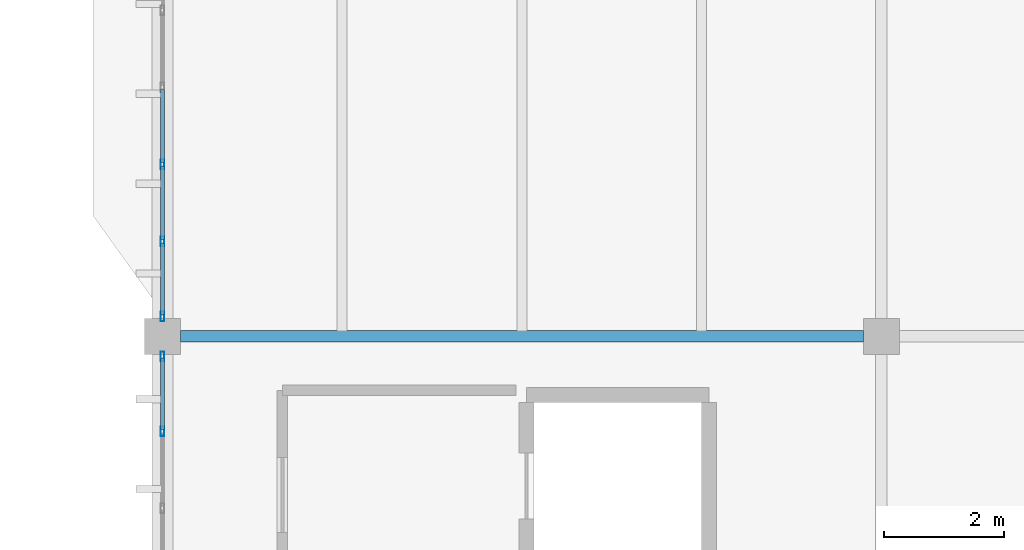
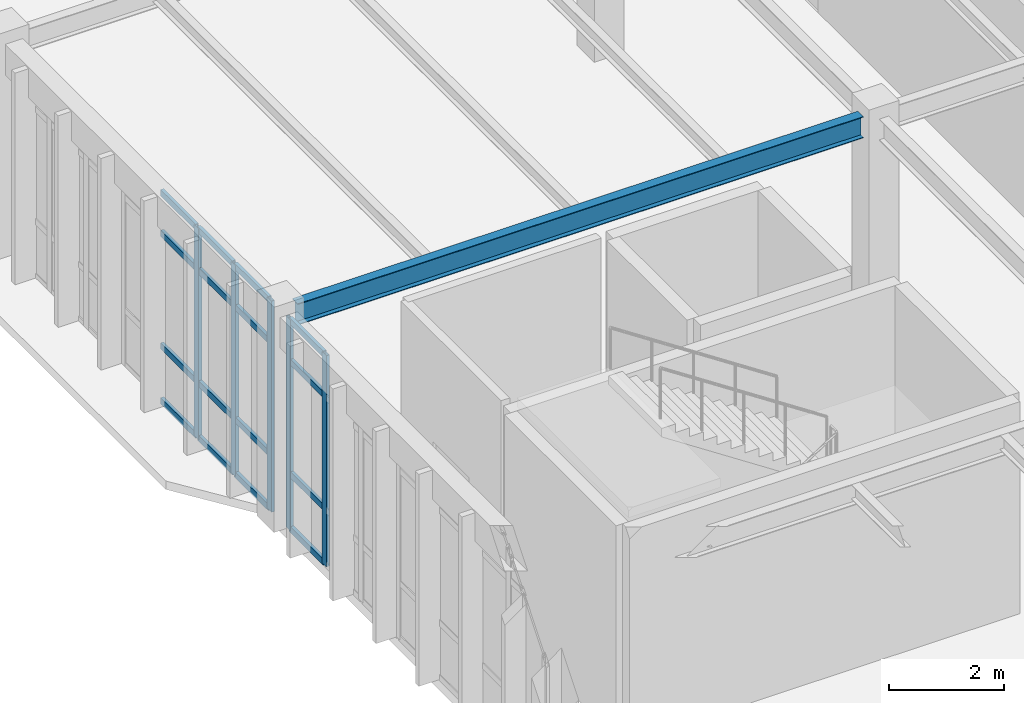
# One storey, part 146 of 236: 21 members, 1 beam, 2 elements without a shape of their own.
"""IFC4 building model written with IfcOpenShell, lengths in metres."""

from ifc_helpers import new_model, si_unit, direction, frame, origin, origin_2d, place, context, subcontext, project, spatial, hollow_rectangle, i_section, extrude, material, layer, layer_set, material_profile, profile_set, type_object, element, aggregate, save


model = new_model("IFC4")

# Units and contexts
model_context = context("Model", 3, precision=1e-05, world=origin(), true_north=direction((0.0, 1.0)))
body_context = subcontext(model_context, "Body", "Model", "MODEL_VIEW")
ifc_project = project(units=[si_unit("LENGTHUNIT", "METRE"), si_unit("AREAUNIT", "SQUARE_METRE"), si_unit("VOLUMEUNIT", "CUBIC_METRE"), si_unit("PLANEANGLEUNIT", "RADIAN"), si_unit("MASSUNIT", "GRAM", prefix="KILO")], contexts=[model_context])

# Site, building, storey
site_placement = place(None, origin())
site = spatial("IfcSite", under=ifc_project, at=site_placement, CompositionType="ELEMENT")
building_placement = place(site_placement, origin())
building = spatial("IfcBuilding", under=site, at=building_placement, Name="Pandanus Reach Market Hall", CompositionType="ELEMENT")
storey_placement = place(building_placement, frame((0.0, 0.0, 5.39990234375)))
storey = spatial("IfcBuildingStorey", under=building, at=storey_placement, Name="L01", CompositionType="ELEMENT", Elevation=5.39990234375)

# Beam
ifc_material_1 = material(Name="Steel Grade 350 (350 MPa)", Category="steel")
ifc_material_profile_1 = material_profile(ifc_material_1, i_section(OverallWidth=0.18994140625, OverallDepth=0.45703125, WebThickness=0.009033203125, FlangeThickness=0.014404296875, at=origin_2d()), Name="460UB74.6", Category="LoadBearing")
ifc_profile_set_1 = profile_set([ifc_material_profile_1], Name="Steel Grade 350 (350 MPa)")
beam_type = type_object("IfcBeamType", Name="BM-UB460-I", PredefinedType="BEAM", material=ifc_profile_set_1)
beam_placement = place(storey_placement, frame((144.298095703125, 57.60009765625, 4.311279296875), z_axis=(1.0, 0.0, 0.0), x_axis=(0.0, 1.0, 0.0)))
element("IfcBeam", 1, at=beam_placement, inside=storey, type_object=beam_type, Name="Framing beam BM-UB460-I L01.321", PredefinedType="BEAM", context=body_context, shape_type="SweptSolid", body=[
    extrude(i_section(OverallWidth=0.18994140625, OverallDepth=0.45703125, WebThickness=0.009033203125, FlangeThickness=0.014404296875, at=origin_2d()), origin(), (0.0, 0.0, 1.0), 11.40380859375),
])

# Curtain wall, members
ifc_material_2 = material(Name="Bronze anodised aluminium and low-E glass", Category="aluminium")
ifc_layer = layer(ifc_material_2, 0.159912109375, Name="CW-29")
ifc_layer_set = layer_set([ifc_layer], Name="Bronze anodised aluminium and low-E glass")
curtain_wall_type = type_object("IfcCurtainWallType", Name="CW-29", PredefinedType="NOTDEFINED", material=ifc_layer_set)
curtain_wall_1_placement = place(storey_placement, origin())
curtain_wall_1 = element("IfcCurtainWall", 2, at=curtain_wall_1_placement, inside=storey, type_object=curtain_wall_type, Name="Glazed curtain wall CW-29 CW-0095", PredefinedType="NOTDEFINED")
ifc_material_3 = material(Name="Bronze anodised aluminium", Category="aluminium")
ifc_material_profile_2 = material_profile(ifc_material_3, hollow_rectangle(XDim=0.06494140625, YDim=0.159912109375, WallThickness=0.00390625, at=origin_2d()), Name="ALU65x160", Category="LoadBearing")
ifc_profile_set_2 = profile_set([ifc_material_profile_2], Name="Bronze anodised aluminium")
member_type_1 = type_object("IfcMemberType", Name="CW-M1", PredefinedType="MULLION", material=ifc_profile_set_2)
member_1_placement = place(storey_placement, frame((144.0, 56.014404296875, 0.0), z_axis=(0.0, 0.0, 1.0), x_axis=(-1.0, 0.0, 0.0)))
member_1 = element("IfcMember", 3, at=member_1_placement, type_object=member_type_1, Name="CW-29 mullion 7", PredefinedType="MULLION", context=body_context, shape_type="SweptSolid", body=[
    extrude(hollow_rectangle(XDim=0.06494140625, YDim=0.159912109375, WallThickness=0.00390625, at=origin_2d()), origin(), (0.0, 0.0, 1.0), 4.5),
])
member_2_placement = place(storey_placement, frame((144.0, 57.267578125, 0.0), z_axis=(0.0, 0.0, 1.0), x_axis=(-1.0, 0.0, 0.0)))
member_2 = element("IfcMember", 4, at=member_2_placement, type_object=member_type_1, Name="CW-29 mullion 8", PredefinedType="MULLION", context=body_context, shape_type="SweptSolid", body=[
    extrude(hollow_rectangle(XDim=0.06494140625, YDim=0.159912109375, WallThickness=0.00390625, at=origin_2d()), origin(), (0.0, 0.0, 1.0), 4.5),
])

curtain_wall_2_placement = place(storey_placement, origin())
curtain_wall_2 = element("IfcCurtainWall", 5, at=curtain_wall_2_placement, inside=storey, type_object=curtain_wall_type, Name="Glazed curtain wall CW-29 CW-0096", PredefinedType="NOTDEFINED")
member_3_placement = place(storey_placement, frame((144.0, 57.9326171875, 0.0), z_axis=(0.0, 0.0, 1.0), x_axis=(-1.0, 0.0, 0.0)))
member_3 = element("IfcMember", 6, at=member_3_placement, type_object=member_type_1, Name="CW-29 mullion 1", PredefinedType="MULLION", context=body_context, shape_type="SweptSolid", body=[
    extrude(hollow_rectangle(XDim=0.06494140625, YDim=0.159912109375, WallThickness=0.00390625, at=origin_2d()), origin(), (0.0, 0.0, 1.0), 4.5),
])
member_4_placement = place(storey_placement, frame((144.0, 59.185791015625, 0.0), z_axis=(0.0, 0.0, 1.0), x_axis=(-1.0, 0.0, 0.0)))
member_4 = element("IfcMember", 7, at=member_4_placement, type_object=member_type_1, Name="CW-29 mullion 2", PredefinedType="MULLION", context=body_context, shape_type="SweptSolid", body=[
    extrude(hollow_rectangle(XDim=0.06494140625, YDim=0.159912109375, WallThickness=0.00390625, at=origin_2d()), origin(), (0.0, 0.0, 1.0), 4.5),
])
member_5_placement = place(storey_placement, frame((144.0, 60.471435546875, 0.0), z_axis=(0.0, 0.0, 1.0), x_axis=(-1.0, 0.0, 0.0)))
member_5 = element("IfcMember", 8, at=member_5_placement, type_object=member_type_1, Name="CW-29 mullion 3", PredefinedType="MULLION", context=body_context, shape_type="SweptSolid", body=[
    extrude(hollow_rectangle(XDim=0.06494140625, YDim=0.159912109375, WallThickness=0.00390625, at=origin_2d()), origin(), (0.0, 0.0, 1.0), 4.5),
])

# Member
ifc_material_profile_3 = material_profile(ifc_material_3, hollow_rectangle(XDim=0.06494140625, YDim=0.1298828125, WallThickness=0.00390625, at=origin_2d()), Name="ALU65x130", Category="LoadBearing")
ifc_profile_set_3 = profile_set([ifc_material_profile_3], Name="Bronze anodised aluminium")
member_type_2 = type_object("IfcMemberType", Name="CW-T1", PredefinedType="USERDEFINED", material=ifc_profile_set_3)
member_6_placement = place(storey_placement, frame((144.0, 56.046875, 0.03271484375), z_axis=(0.0, 1.0, 0.0), x_axis=(-1.0, 0.0, 0.0)))
member_6 = element("IfcMember", 9, at=member_6_placement, type_object=member_type_2, Name="CW-29 transom 7.1", ObjectType="TRANSOM", PredefinedType="USERDEFINED", context=body_context, shape_type="SweptSolid", body=[
    extrude(hollow_rectangle(XDim=0.06494140625, YDim=0.1298828125, WallThickness=0.00390625, at=origin_2d()), origin(), (0.0, 0.0, 1.0), 1.188232421875),
])

member_7_placement = place(storey_placement, frame((144.0, 56.046875, 1.2001953125), z_axis=(0.0, 1.0, 0.0), x_axis=(-1.0, 0.0, 0.0)))
member_7 = element("IfcMember", 10, at=member_7_placement, type_object=member_type_2, Name="CW-29 transom 7.2", ObjectType="TRANSOM", PredefinedType="USERDEFINED", context=body_context, shape_type="SweptSolid", body=[
    extrude(hollow_rectangle(XDim=0.06494140625, YDim=0.1298828125, WallThickness=0.00390625, at=origin_2d()), origin(), (0.0, 0.0, 1.0), 1.188232421875),
])

member_8_placement = place(storey_placement, frame((144.0, 56.046875, 3.60009765625), z_axis=(0.0, 1.0, 0.0), x_axis=(-1.0, 0.0, 0.0)))
member_8 = element("IfcMember", 11, at=member_8_placement, type_object=member_type_2, Name="CW-29 transom 7.3", ObjectType="TRANSOM", PredefinedType="USERDEFINED", context=body_context, shape_type="SweptSolid", body=[
    extrude(hollow_rectangle(XDim=0.06494140625, YDim=0.1298828125, WallThickness=0.00390625, at=origin_2d()), origin(), (0.0, 0.0, 1.0), 1.188232421875),
])

member_9_placement = place(storey_placement, frame((144.0, 56.046875, 4.467529296875), z_axis=(0.0, 1.0, 0.0), x_axis=(-1.0, 0.0, 0.0)))
member_9 = element("IfcMember", 12, at=member_9_placement, type_object=member_type_2, Name="CW-29 transom 7.4", ObjectType="TRANSOM", PredefinedType="USERDEFINED", context=body_context, shape_type="SweptSolid", body=[
    extrude(hollow_rectangle(XDim=0.06494140625, YDim=0.1298828125, WallThickness=0.00390625, at=origin_2d()), origin(), (0.0, 0.0, 1.0), 1.188232421875),
])

aggregate(curtain_wall_1, [member_1, member_2, member_6, member_7, member_8, member_9])

member_10_placement = place(storey_placement, frame((144.0, 57.965087890625, 0.03271484375), z_axis=(0.0, 1.0, 0.0), x_axis=(-1.0, 0.0, 0.0)))
member_10 = element("IfcMember", 13, at=member_10_placement, type_object=member_type_2, Name="CW-29 transom 1.1", ObjectType="TRANSOM", PredefinedType="USERDEFINED", context=body_context, shape_type="SweptSolid", body=[
    extrude(hollow_rectangle(XDim=0.06494140625, YDim=0.1298828125, WallThickness=0.00390625, at=origin_2d()), origin(), (0.0, 0.0, 1.0), 1.188232421875),
])

member_11_placement = place(storey_placement, frame((144.0, 57.965087890625, 1.2001953125), z_axis=(0.0, 1.0, 0.0), x_axis=(-1.0, 0.0, 0.0)))
member_11 = element("IfcMember", 14, at=member_11_placement, type_object=member_type_2, Name="CW-29 transom 1.2", ObjectType="TRANSOM", PredefinedType="USERDEFINED", context=body_context, shape_type="SweptSolid", body=[
    extrude(hollow_rectangle(XDim=0.06494140625, YDim=0.1298828125, WallThickness=0.00390625, at=origin_2d()), origin(), (0.0, 0.0, 1.0), 1.188232421875),
])

member_12_placement = place(storey_placement, frame((144.0, 57.965087890625, 3.60009765625), z_axis=(0.0, 1.0, 0.0), x_axis=(-1.0, 0.0, 0.0)))
member_12 = element("IfcMember", 15, at=member_12_placement, type_object=member_type_2, Name="CW-29 transom 1.3", ObjectType="TRANSOM", PredefinedType="USERDEFINED", context=body_context, shape_type="SweptSolid", body=[
    extrude(hollow_rectangle(XDim=0.06494140625, YDim=0.1298828125, WallThickness=0.00390625, at=origin_2d()), origin(), (0.0, 0.0, 1.0), 1.188232421875),
])

member_13_placement = place(storey_placement, frame((144.0, 57.965087890625, 4.467529296875), z_axis=(0.0, 1.0, 0.0), x_axis=(-1.0, 0.0, 0.0)))
member_13 = element("IfcMember", 16, at=member_13_placement, type_object=member_type_2, Name="CW-29 transom 1.4", ObjectType="TRANSOM", PredefinedType="USERDEFINED", context=body_context, shape_type="SweptSolid", body=[
    extrude(hollow_rectangle(XDim=0.06494140625, YDim=0.1298828125, WallThickness=0.00390625, at=origin_2d()), origin(), (0.0, 0.0, 1.0), 1.188232421875),
])

member_14_placement = place(storey_placement, frame((144.0, 59.21826171875, 0.03271484375), z_axis=(0.0, 1.0, 0.0), x_axis=(-1.0, 0.0, 0.0)))
member_14 = element("IfcMember", 17, at=member_14_placement, type_object=member_type_2, Name="CW-29 transom 2.1", ObjectType="TRANSOM", PredefinedType="USERDEFINED", context=body_context, shape_type="SweptSolid", body=[
    extrude(hollow_rectangle(XDim=0.06494140625, YDim=0.1298828125, WallThickness=0.00390625, at=origin_2d()), origin(), (0.0, 0.0, 1.0), 1.220703125),
])

member_15_placement = place(storey_placement, frame((144.0, 59.21826171875, 1.2001953125), z_axis=(0.0, 1.0, 0.0), x_axis=(-1.0, 0.0, 0.0)))
member_15 = element("IfcMember", 18, at=member_15_placement, type_object=member_type_2, Name="CW-29 transom 2.2", ObjectType="TRANSOM", PredefinedType="USERDEFINED", context=body_context, shape_type="SweptSolid", body=[
    extrude(hollow_rectangle(XDim=0.06494140625, YDim=0.1298828125, WallThickness=0.00390625, at=origin_2d()), origin(), (0.0, 0.0, 1.0), 1.220703125),
])

member_16_placement = place(storey_placement, frame((144.0, 59.21826171875, 3.60009765625), z_axis=(0.0, 1.0, 0.0), x_axis=(-1.0, 0.0, 0.0)))
member_16 = element("IfcMember", 19, at=member_16_placement, type_object=member_type_2, Name="CW-29 transom 2.3", ObjectType="TRANSOM", PredefinedType="USERDEFINED", context=body_context, shape_type="SweptSolid", body=[
    extrude(hollow_rectangle(XDim=0.06494140625, YDim=0.1298828125, WallThickness=0.00390625, at=origin_2d()), origin(), (0.0, 0.0, 1.0), 1.220703125),
])

member_17_placement = place(storey_placement, frame((144.0, 59.21826171875, 4.467529296875), z_axis=(0.0, 1.0, 0.0), x_axis=(-1.0, 0.0, 0.0)))
member_17 = element("IfcMember", 20, at=member_17_placement, type_object=member_type_2, Name="CW-29 transom 2.4", ObjectType="TRANSOM", PredefinedType="USERDEFINED", context=body_context, shape_type="SweptSolid", body=[
    extrude(hollow_rectangle(XDim=0.06494140625, YDim=0.1298828125, WallThickness=0.00390625, at=origin_2d()), origin(), (0.0, 0.0, 1.0), 1.220703125),
])

member_18_placement = place(storey_placement, frame((144.0, 60.50390625, 0.03271484375), z_axis=(0.0, 1.0, 0.0), x_axis=(-1.0, 0.0, 0.0)))
member_18 = element("IfcMember", 21, at=member_18_placement, type_object=member_type_2, Name="CW-29 transom 3.1", ObjectType="TRANSOM", PredefinedType="USERDEFINED", context=body_context, shape_type="SweptSolid", body=[
    extrude(hollow_rectangle(XDim=0.06494140625, YDim=0.1298828125, WallThickness=0.00390625, at=origin_2d()), origin(), (0.0, 0.0, 1.0), 1.220703125),
])

member_19_placement = place(storey_placement, frame((144.0, 60.50390625, 1.2001953125), z_axis=(0.0, 1.0, 0.0), x_axis=(-1.0, 0.0, 0.0)))
member_19 = element("IfcMember", 22, at=member_19_placement, type_object=member_type_2, Name="CW-29 transom 3.2", ObjectType="TRANSOM", PredefinedType="USERDEFINED", context=body_context, shape_type="SweptSolid", body=[
    extrude(hollow_rectangle(XDim=0.06494140625, YDim=0.1298828125, WallThickness=0.00390625, at=origin_2d()), origin(), (0.0, 0.0, 1.0), 1.220703125),
])

member_20_placement = place(storey_placement, frame((144.0, 60.50390625, 3.60009765625), z_axis=(0.0, 1.0, 0.0), x_axis=(-1.0, 0.0, 0.0)))
member_20 = element("IfcMember", 23, at=member_20_placement, type_object=member_type_2, Name="CW-29 transom 3.3", ObjectType="TRANSOM", PredefinedType="USERDEFINED", context=body_context, shape_type="SweptSolid", body=[
    extrude(hollow_rectangle(XDim=0.06494140625, YDim=0.1298828125, WallThickness=0.00390625, at=origin_2d()), origin(), (0.0, 0.0, 1.0), 1.220703125),
])

member_21_placement = place(storey_placement, frame((144.0, 60.50390625, 4.467529296875), z_axis=(0.0, 1.0, 0.0), x_axis=(-1.0, 0.0, 0.0)))
member_21 = element("IfcMember", 24, at=member_21_placement, type_object=member_type_2, Name="CW-29 transom 3.4", ObjectType="TRANSOM", PredefinedType="USERDEFINED", context=body_context, shape_type="SweptSolid", body=[
    extrude(hollow_rectangle(XDim=0.06494140625, YDim=0.1298828125, WallThickness=0.00390625, at=origin_2d()), origin(), (0.0, 0.0, 1.0), 1.220703125),
])

aggregate(curtain_wall_2, [member_3, member_4, member_5, member_10, member_11, member_12, member_13, member_14, member_15, member_16, member_17, member_18, member_19, member_20, member_21])

save(model, "model.ifc")
